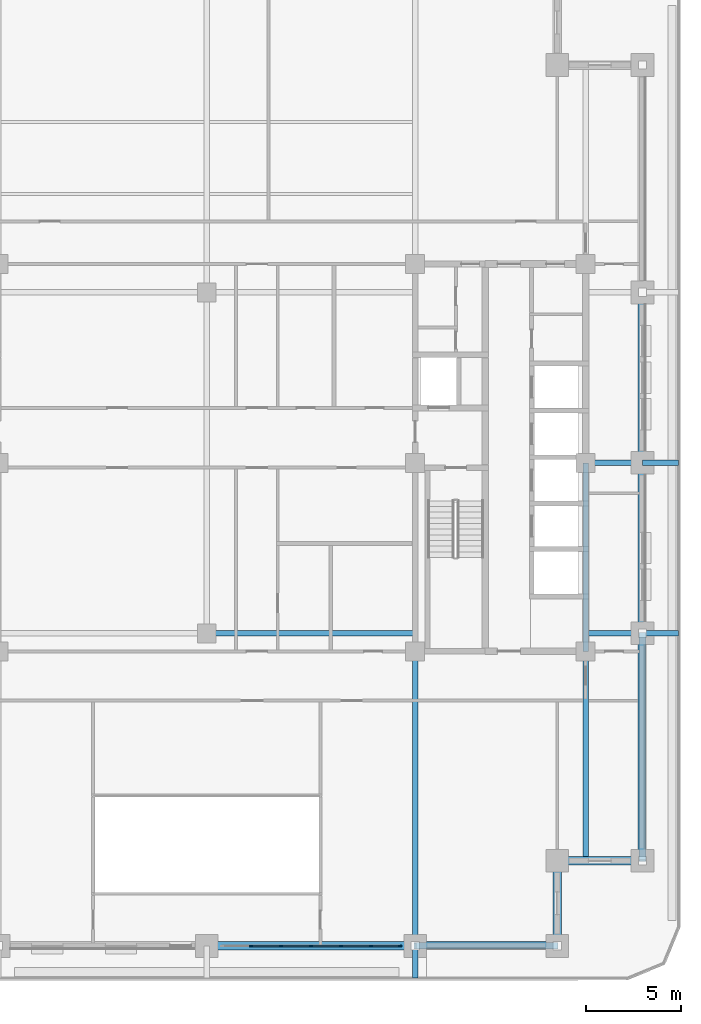
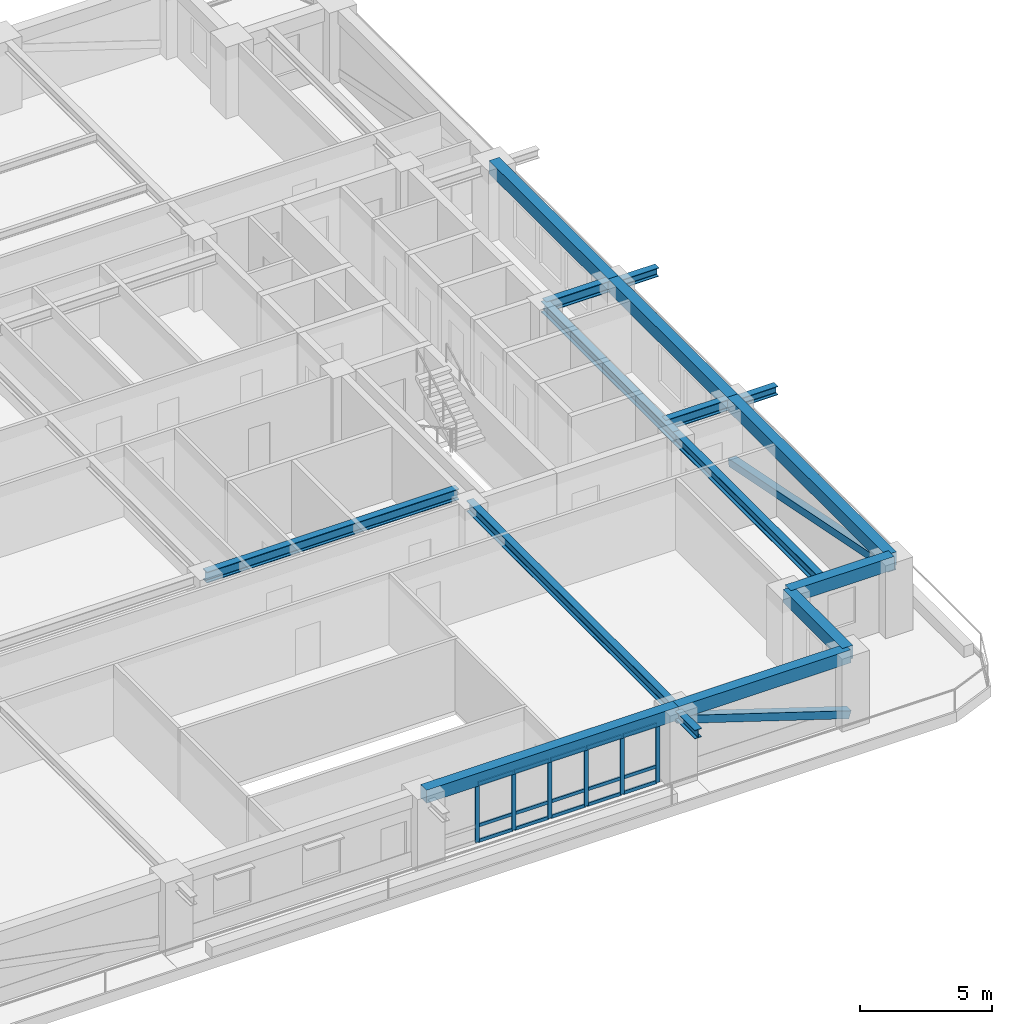
# One storey, part 4 of 20: 23 members, 16 beams, 1 element without a shape of its own.
"""IFC4 building model written with IfcOpenShell, lengths in metres."""

from ifc_helpers import new_model, si_unit, direction, frame, origin, origin_2d, place, context, subcontext, project, spatial, rectangle, hollow_rectangle, i_section, extrude, material, material_profile, profile_set, type_object, element, aggregate, save


model = new_model("IFC4")

# Units and contexts
model_context = context("Model", 3, precision=1e-05, world=origin(), true_north=direction((0.0, 1.0)))
body_context = subcontext(model_context, "Body", "Model", "MODEL_VIEW")
ifc_project = project(units=[si_unit("LENGTHUNIT", "METRE"), si_unit("AREAUNIT", "SQUARE_METRE"), si_unit("VOLUMEUNIT", "CUBIC_METRE"), si_unit("PLANEANGLEUNIT", "RADIAN"), si_unit("MASSUNIT", "GRAM", prefix="KILO")], contexts=[model_context])

# Site, building, storey
site_placement = place(None, origin())
site = spatial("IfcSite", under=ifc_project, at=site_placement, CompositionType="ELEMENT")
building_placement = place(site_placement, origin())
building = spatial("IfcBuilding", under=site, at=building_placement, Name="Zulmaris Gate Convention Tower", CompositionType="ELEMENT")
storey_placement = place(building_placement, frame((0.0, 0.0, 146.33984375)))
storey = spatial("IfcBuildingStorey", under=building, at=storey_placement, Name="L37", CompositionType="ELEMENT", Elevation=146.33984375)

# Beams
ifc_material_1 = material(Name="Steel S355", Category="steel")
ifc_material_profile_1 = material_profile(ifc_material_1, i_section(OverallWidth=0.300048828125, OverallDepth=0.39990234375, WebThickness=0.013427734375, FlangeThickness=0.02392578125, FilletRadius=0.027099609375, at=origin_2d()), Name="HEB 400")
ifc_profile_set_1 = profile_set([ifc_material_profile_1], Name="Steel S355")
beam_type_1 = type_object("IfcBeamType", Name="BM-HEB400", PredefinedType="BEAM", material=ifc_profile_set_1)
beam_1_placement = place(storey_placement, frame((11.0, -27.199951171875, 2.97998046875), z_axis=(0.0, 1.0, 0.0), x_axis=(-1.0, 0.0, 0.0)))
element("IfcBeam", 1, at=beam_1_placement, inside=storey, type_object=beam_type_1, Name="L37 Beam TBRK-L37-S-+11", PredefinedType="BEAM", context=body_context, shape_type="SweptSolid", body=[
    extrude(i_section(OverallWidth=0.300048828125, OverallDepth=0.39990234375, WebThickness=0.013427734375, FlangeThickness=0.02392578125, FilletRadius=0.027099609375, at=origin_2d()), origin(), (0.0, 0.0, 1.0), 1.699951171875),
])
for number, where, z_axis, x_axis, name in (
    (2, (23.0, -9.0, 2.97998046875), (1.0, 0.0, 0.0), (0.0, 1.0, 0.0), "L37 Beam TBRK-L37-E--9"),
    (3, (23.0, 0.0, 2.97998046875), (1.0, 0.0, 0.0), (0.0, 1.0, 0.0), "L37 Beam TBRK-L37-E-+0"),
):
    element("IfcBeam", number, at=place(storey_placement, frame(where, z_axis=z_axis, x_axis=x_axis)), inside=storey, type_object=beam_type_1, Name=name, PredefinedType="BEAM", context=body_context, shape_type="SweptSolid", body=[
        extrude(i_section(OverallWidth=0.300048828125, OverallDepth=0.39990234375, WebThickness=0.013427734375, FlangeThickness=0.02392578125, FilletRadius=0.027099609375, at=origin_2d()), origin(), (0.0, 0.0, 1.0), 1.89990234375),
    ])
ifc_material_profile_2 = material_profile(ifc_material_1, i_section(OverallWidth=0.300048828125, OverallDepth=0.5, WebThickness=0.014404296875, FlangeThickness=0.028076171875, FilletRadius=0.027099609375, at=origin_2d()), Name="HEB 500")
ifc_profile_set_2 = profile_set([ifc_material_profile_2], Name="Steel S355")
beam_type_2 = type_object("IfcBeamType", Name="BM-HEB500", PredefinedType="BEAM", material=ifc_profile_set_2)
beam_2_placement = place(storey_placement, frame((0.0, -9.0, 3.068115234375), z_axis=(1.0, 0.0, 0.0), x_axis=(0.0, 1.0, 0.0)))
element("IfcBeam", 4, at=beam_2_placement, inside=storey, type_object=beam_type_2, Name="L37 Beam BM-L37-G02", PredefinedType="BEAM", context=body_context, shape_type="SweptSolid", body=[
    extrude(i_section(OverallWidth=0.300048828125, OverallDepth=0.5, WebThickness=0.014404296875, FlangeThickness=0.028076171875, FilletRadius=0.027099609375, at=origin_2d()), origin(), (0.0, 0.0, 1.0), 11.0),
])
beam_3_placement = place(storey_placement, frame((11.0, -25.5, 3.068115234375), z_axis=(0.0, 1.0, 0.0), x_axis=(-1.0, 0.0, 0.0)))
element("IfcBeam", 5, at=beam_3_placement, inside=storey, type_object=beam_type_2, Name="L37 Beam BM-L37-G10", PredefinedType="BEAM", context=body_context, shape_type="SweptSolid", body=[
    extrude(i_section(OverallWidth=0.300048828125, OverallDepth=0.5, WebThickness=0.014404296875, FlangeThickness=0.028076171875, FilletRadius=0.027099609375, at=origin_2d()), origin(), (0.0, 0.0, 1.0), 15.550048828125),
])
beam_4_placement = place(storey_placement, frame((20.0, -21.0, 3.068115234375), z_axis=(0.0, 1.0, 0.0), x_axis=(-1.0, 0.0, 0.0)))
element("IfcBeam", 6, at=beam_4_placement, inside=storey, type_object=beam_type_2, Name="L37 Beam BM-L37-G14", PredefinedType="BEAM", context=body_context, shape_type="SweptSolid", body=[
    extrude(i_section(OverallWidth=0.300048828125, OverallDepth=0.5, WebThickness=0.014404296875, FlangeThickness=0.028076171875, FilletRadius=0.027099609375, at=origin_2d()), origin(), (0.0, 0.0, 1.0), 11.050048828125),
])
for number, where, z_axis, x_axis, name in (
    (7, (20.0, -9.0, 3.068115234375), (1.0, 0.0, 0.0), (0.0, 1.0, 0.0), "L37 Beam BM-L37-G19"),
    (8, (20.0, 0.0, 3.068115234375), (1.0, 0.0, 0.0), (0.0, 1.0, 0.0), "L37 Beam BM-L37-G20"),
):
    element("IfcBeam", number, at=place(storey_placement, frame(where, z_axis=z_axis, x_axis=x_axis)), inside=storey, type_object=beam_type_2, Name=name, PredefinedType="BEAM", context=body_context, shape_type="SweptSolid", body=[
        extrude(i_section(OverallWidth=0.300048828125, OverallDepth=0.5, WebThickness=0.014404296875, FlangeThickness=0.028076171875, FilletRadius=0.027099609375, at=origin_2d()), origin(), (0.0, 0.0, 1.0), 3.0),
    ])
beam_5_placement = place(storey_placement, frame((20.0, -9.949951171875, 3.068115234375), z_axis=(0.0, 1.0, 0.0), x_axis=(-1.0, 0.0, 0.0)))
element("IfcBeam", 9, at=beam_5_placement, inside=storey, type_object=beam_type_2, Name="L37 Beam BM-L37-G28", PredefinedType="BEAM", context=body_context, shape_type="SweptSolid", body=[
    extrude(i_section(OverallWidth=0.300048828125, OverallDepth=0.5, WebThickness=0.014404296875, FlangeThickness=0.028076171875, FilletRadius=0.027099609375, at=origin_2d()), origin(), (0.0, 0.0, 1.0), 9.949951171875),
])
ifc_material_2 = material(Name="Precast concrete C50/60", Category="concrete")
ifc_material_profile_3 = material_profile(ifc_material_2, rectangle(XDim=0.449951171875, YDim=0.60009765625, at=origin_2d()), Name="RC SPANDREL 450x600")
ifc_profile_set_3 = profile_set([ifc_material_profile_3], Name="Precast concrete C50/60")
beam_type_3 = type_object("IfcBeamType", Name="BM-SP450x600", PredefinedType="SPANDREL", material=ifc_profile_set_3)
beam_6_placement = place(storey_placement, frame((0.0, -25.5, 3.02001953125), z_axis=(1.0, 0.0, 0.0), x_axis=(0.0, 1.0, 0.0)))
element("IfcBeam", 10, at=beam_6_placement, inside=storey, type_object=beam_type_3, Name="L37 Spandrel SP-L37-03", PredefinedType="SPANDREL", context=body_context, shape_type="SweptSolid", body=[
    extrude(rectangle(XDim=0.449951171875, YDim=0.60009765625, at=origin_2d()), origin(), (0.0, 0.0, 1.0), 11.0),
])
beam_7_placement = place(storey_placement, frame((11.0, -25.5, 3.02001953125), z_axis=(1.0, 0.0, 0.0), x_axis=(0.0, 1.0, 0.0)))
element("IfcBeam", 11, at=beam_7_placement, inside=storey, type_object=beam_type_3, Name="L37 Spandrel SP-L37-04", PredefinedType="SPANDREL", context=body_context, shape_type="SweptSolid", body=[
    extrude(rectangle(XDim=0.449951171875, YDim=0.60009765625, at=origin_2d()), origin(), (0.0, 0.0, 1.0), 7.5),
])
for number, where, z_axis, x_axis, name in (
    (12, (18.5, -25.5, 3.02001953125), (0.0, 1.0, 0.0), (-1.0, 0.0, 0.0), "L37 Spandrel SP-L37-05"),
    (13, (18.5, -21.0, 3.02001953125), (1.0, 0.0, 0.0), (0.0, 1.0, 0.0), "L37 Spandrel SP-L37-06"),
):
    element("IfcBeam", number, at=place(storey_placement, frame(where, z_axis=z_axis, x_axis=x_axis)), inside=storey, type_object=beam_type_3, Name=name, PredefinedType="SPANDREL", context=body_context, shape_type="SweptSolid", body=[
        extrude(rectangle(XDim=0.449951171875, YDim=0.60009765625, at=origin_2d()), origin(), (0.0, 0.0, 1.0), 4.5),
    ])
beam_8_placement = place(storey_placement, frame((23.0, -21.0, 3.02001953125), z_axis=(0.0, 1.0, 0.0), x_axis=(-1.0, 0.0, 0.0)))
element("IfcBeam", 14, at=beam_8_placement, inside=storey, type_object=beam_type_3, Name="L37 Spandrel SP-L37-07", PredefinedType="SPANDREL", context=body_context, shape_type="SweptSolid", body=[
    extrude(rectangle(XDim=0.449951171875, YDim=0.60009765625, at=origin_2d()), origin(), (0.0, 0.0, 1.0), 12.0),
])
for number, where, z_axis, x_axis, name in (
    (15, (23.0, -9.0, 3.02001953125), (0.0, 1.0, 0.0), (-1.0, 0.0, 0.0), "L37 Spandrel SP-L37-08"),
    (16, (23.0, 0.0, 3.02001953125), (0.0, 1.0, 0.0), (-1.0, 0.0, 0.0), "L37 Spandrel SP-L37-09"),
):
    element("IfcBeam", number, at=place(storey_placement, frame(where, z_axis=z_axis, x_axis=x_axis)), inside=storey, type_object=beam_type_3, Name=name, PredefinedType="SPANDREL", context=body_context, shape_type="SweptSolid", body=[
        extrude(rectangle(XDim=0.449951171875, YDim=0.60009765625, at=origin_2d()), origin(), (0.0, 0.0, 1.0), 9.0),
    ])

# Members
ifc_material_3 = material(Name="Steel S460", Category="steel")
ifc_material_profile_4 = material_profile(ifc_material_3, hollow_rectangle(XDim=0.35009765625, YDim=0.35009765625, WallThickness=0.01611328125, at=origin_2d()), Name="SHS 350x350x16")
ifc_profile_set_4 = profile_set([ifc_material_profile_4], Name="Steel S460")
member_type_1 = type_object("IfcMemberType", Name="BR-SHS350", PredefinedType="BRACE", material=ifc_profile_set_4)
member_1_placement = place(storey_placement, frame((23.0, -9.0, 0.300048828125), z_axis=(0.0, -0.980582210276, 0.196108462057), x_axis=(1.0, 0.0, 0.0)))
element("IfcMember", 17, at=member_1_placement, inside=storey, type_object=member_type_1, Name="L37 Perimeter Tube Diagonal SE-E", PredefinedType="BRACE", context=body_context, shape_type="SweptSolid", body=[
    extrude(hollow_rectangle(XDim=0.35009765625, YDim=0.35009765625, WallThickness=0.01611328125, at=origin_2d()), origin(), (0.0, 0.0, 1.0), 12.237548828125),
])
member_2_placement = place(storey_placement, frame((18.5, -25.5, 0.300048828125), z_axis=(-0.95242774696, 0.0, 0.304764477624), x_axis=(0.0, -1.0, 0.0)))
element("IfcMember", 18, at=member_2_placement, inside=storey, type_object=member_type_1, Name="L37 Perimeter Tube Diagonal SE-S", PredefinedType="BRACE", context=body_context, shape_type="SweptSolid", body=[
    extrude(hollow_rectangle(XDim=0.35009765625, YDim=0.35009765625, WallThickness=0.01611328125, at=origin_2d()), origin(), (0.0, 0.0, 1.0), 7.87451171875),
])

# Curtain wall, members
ifc_material_4 = material(Name="Anodised Aluminium", Category="aluminium")
curtain_wall_type = type_object("IfcCurtainWallType", Name="CW-06", PredefinedType="NOTDEFINED", material=ifc_material_4)
curtain_wall_placement = place(storey_placement, origin())
curtain_wall = element("IfcCurtainWall", 19, at=curtain_wall_placement, inside=storey, type_object=curtain_wall_type, Name="CW-06 CW06-L37-S-2_0", PredefinedType="NOTDEFINED")
ifc_material_profile_5 = material_profile(ifc_material_4, rectangle(XDim=0.074951171875, YDim=0.179931640625, at=origin_2d()), Name="ALU MULLION 75x180")
ifc_profile_set_5 = profile_set([ifc_material_profile_5], Name="Anodised Aluminium")
member_type_2 = type_object("IfcMemberType", Name="CW-06-MULL", PredefinedType="MULLION", material=ifc_profile_set_5)
member_3_placement = place(storey_placement, frame((2.340087890625, -25.5, 0.0), z_axis=(0.0, 0.0, 1.0), x_axis=(0.0, 1.0, 0.0)))
member_3 = element("IfcMember", 20, at=member_3_placement, type_object=member_type_2, Name="CW-06 mullion 2", PredefinedType="MULLION", context=body_context, shape_type="SweptSolid", body=[
    extrude(rectangle(XDim=0.074951171875, YDim=0.179931640625, at=origin_2d()), origin(), (0.0, 0.0, 1.0), 2.712158203125),
])
member_4_placement = place(storey_placement, frame((3.919921875, -25.5, 0.0), z_axis=(0.0, 0.0, 1.0), x_axis=(0.0, 1.0, 0.0)))
member_4 = element("IfcMember", 21, at=member_4_placement, type_object=member_type_2, Name="CW-06 mullion 3", PredefinedType="MULLION", context=body_context, shape_type="SweptSolid", body=[
    extrude(rectangle(XDim=0.074951171875, YDim=0.179931640625, at=origin_2d()), origin(), (0.0, 0.0, 1.0), 2.712158203125),
])
member_5_placement = place(storey_placement, frame((5.5, -25.5, 0.0), z_axis=(0.0, 0.0, 1.0), x_axis=(0.0, 1.0, 0.0)))
member_5 = element("IfcMember", 22, at=member_5_placement, type_object=member_type_2, Name="CW-06 mullion 4", PredefinedType="MULLION", context=body_context, shape_type="SweptSolid", body=[
    extrude(rectangle(XDim=0.074951171875, YDim=0.179931640625, at=origin_2d()), origin(), (0.0, 0.0, 1.0), 2.712158203125),
])
member_6_placement = place(storey_placement, frame((7.080078125, -25.5, 0.0), z_axis=(0.0, 0.0, 1.0), x_axis=(0.0, 1.0, 0.0)))
member_6 = element("IfcMember", 23, at=member_6_placement, type_object=member_type_2, Name="CW-06 mullion 5", PredefinedType="MULLION", context=body_context, shape_type="SweptSolid", body=[
    extrude(rectangle(XDim=0.074951171875, YDim=0.179931640625, at=origin_2d()), origin(), (0.0, 0.0, 1.0), 2.712158203125),
])
member_7_placement = place(storey_placement, frame((8.659912109375, -25.5, 0.0), z_axis=(0.0, 0.0, 1.0), x_axis=(0.0, 1.0, 0.0)))
member_7 = element("IfcMember", 24, at=member_7_placement, type_object=member_type_2, Name="CW-06 mullion 6", PredefinedType="MULLION", context=body_context, shape_type="SweptSolid", body=[
    extrude(rectangle(XDim=0.074951171875, YDim=0.179931640625, at=origin_2d()), origin(), (0.0, 0.0, 1.0), 2.712158203125),
])
member_8_placement = place(storey_placement, frame((10.202392578125, -25.5, 0.0), z_axis=(0.0, 0.0, 1.0), x_axis=(0.0, 1.0, 0.0)))
member_8 = element("IfcMember", 25, at=member_8_placement, type_object=member_type_2, Name="CW-06 mullion 7", PredefinedType="MULLION", context=body_context, shape_type="SweptSolid", body=[
    extrude(rectangle(XDim=0.074951171875, YDim=0.179931640625, at=origin_2d()), origin(), (0.0, 0.0, 1.0), 2.712158203125),
])
ifc_material_profile_6 = material_profile(ifc_material_4, rectangle(XDim=0.074951171875, YDim=0.14990234375, at=origin_2d()), Name="ALU TRANSOM 75x150")
ifc_profile_set_6 = profile_set([ifc_material_profile_6], Name="Anodised Aluminium")
member_type_3 = type_object("IfcMemberType", Name="CW-06-TRAN", PredefinedType="USERDEFINED", material=ifc_profile_set_6)
member_9_placement = place(storey_placement, frame((2.37744140625, -25.5, 0.037353515625), z_axis=(1.0, 0.0, 0.0), x_axis=(0.0, 1.0, 0.0)))
member_9 = element("IfcMember", 26, at=member_9_placement, type_object=member_type_3, Name="CW-06 transom 2.1", ObjectType="TRANSOM", PredefinedType="USERDEFINED", context=body_context, shape_type="SweptSolid", body=[
    extrude(rectangle(XDim=0.074951171875, YDim=0.14990234375, at=origin_2d()), origin(), (0.0, 0.0, 1.0), 1.505126953125),
])
member_10_placement = place(storey_placement, frame((2.37744140625, -25.5, 0.75), z_axis=(1.0, 0.0, 0.0), x_axis=(0.0, 1.0, 0.0)))
member_10 = element("IfcMember", 27, at=member_10_placement, type_object=member_type_3, Name="CW-06 transom 2.2", ObjectType="TRANSOM", PredefinedType="USERDEFINED", context=body_context, shape_type="SweptSolid", body=[
    extrude(rectangle(XDim=0.074951171875, YDim=0.14990234375, at=origin_2d()), origin(), (0.0, 0.0, 1.0), 1.505126953125),
])
member_11_placement = place(storey_placement, frame((2.37744140625, -25.5, 2.674560546875), z_axis=(1.0, 0.0, 0.0), x_axis=(0.0, 1.0, 0.0)))
member_11 = element("IfcMember", 28, at=member_11_placement, type_object=member_type_3, Name="CW-06 transom 2.3", ObjectType="TRANSOM", PredefinedType="USERDEFINED", context=body_context, shape_type="SweptSolid", body=[
    extrude(rectangle(XDim=0.074951171875, YDim=0.14990234375, at=origin_2d()), origin(), (0.0, 0.0, 1.0), 1.505126953125),
])
member_12_placement = place(storey_placement, frame((3.95751953125, -25.5, 0.037353515625), z_axis=(1.0, 0.0, 0.0), x_axis=(0.0, 1.0, 0.0)))
member_12 = element("IfcMember", 29, at=member_12_placement, type_object=member_type_3, Name="CW-06 transom 3.1", ObjectType="TRANSOM", PredefinedType="USERDEFINED", context=body_context, shape_type="SweptSolid", body=[
    extrude(rectangle(XDim=0.074951171875, YDim=0.14990234375, at=origin_2d()), origin(), (0.0, 0.0, 1.0), 1.5048828125),
])
member_13_placement = place(storey_placement, frame((3.95751953125, -25.5, 0.75), z_axis=(1.0, 0.0, 0.0), x_axis=(0.0, 1.0, 0.0)))
member_13 = element("IfcMember", 30, at=member_13_placement, type_object=member_type_3, Name="CW-06 transom 3.2", ObjectType="TRANSOM", PredefinedType="USERDEFINED", context=body_context, shape_type="SweptSolid", body=[
    extrude(rectangle(XDim=0.074951171875, YDim=0.14990234375, at=origin_2d()), origin(), (0.0, 0.0, 1.0), 1.5048828125),
])
member_14_placement = place(storey_placement, frame((3.95751953125, -25.5, 2.674560546875), z_axis=(1.0, 0.0, 0.0), x_axis=(0.0, 1.0, 0.0)))
member_14 = element("IfcMember", 31, at=member_14_placement, type_object=member_type_3, Name="CW-06 transom 3.3", ObjectType="TRANSOM", PredefinedType="USERDEFINED", context=body_context, shape_type="SweptSolid", body=[
    extrude(rectangle(XDim=0.074951171875, YDim=0.14990234375, at=origin_2d()), origin(), (0.0, 0.0, 1.0), 1.5048828125),
])
member_15_placement = place(storey_placement, frame((5.53759765625, -25.5, 0.037353515625), z_axis=(1.0, 0.0, 0.0), x_axis=(0.0, 1.0, 0.0)))
member_15 = element("IfcMember", 32, at=member_15_placement, type_object=member_type_3, Name="CW-06 transom 4.1", ObjectType="TRANSOM", PredefinedType="USERDEFINED", context=body_context, shape_type="SweptSolid", body=[
    extrude(rectangle(XDim=0.074951171875, YDim=0.14990234375, at=origin_2d()), origin(), (0.0, 0.0, 1.0), 1.5048828125),
])
member_16_placement = place(storey_placement, frame((5.53759765625, -25.5, 0.75), z_axis=(1.0, 0.0, 0.0), x_axis=(0.0, 1.0, 0.0)))
member_16 = element("IfcMember", 33, at=member_16_placement, type_object=member_type_3, Name="CW-06 transom 4.2", ObjectType="TRANSOM", PredefinedType="USERDEFINED", context=body_context, shape_type="SweptSolid", body=[
    extrude(rectangle(XDim=0.074951171875, YDim=0.14990234375, at=origin_2d()), origin(), (0.0, 0.0, 1.0), 1.5048828125),
])
member_17_placement = place(storey_placement, frame((5.53759765625, -25.5, 2.674560546875), z_axis=(1.0, 0.0, 0.0), x_axis=(0.0, 1.0, 0.0)))
member_17 = element("IfcMember", 34, at=member_17_placement, type_object=member_type_3, Name="CW-06 transom 4.3", ObjectType="TRANSOM", PredefinedType="USERDEFINED", context=body_context, shape_type="SweptSolid", body=[
    extrude(rectangle(XDim=0.074951171875, YDim=0.14990234375, at=origin_2d()), origin(), (0.0, 0.0, 1.0), 1.5048828125),
])
member_18_placement = place(storey_placement, frame((7.117431640625, -25.5, 0.037353515625), z_axis=(1.0, 0.0, 0.0), x_axis=(0.0, 1.0, 0.0)))
member_18 = element("IfcMember", 35, at=member_18_placement, type_object=member_type_3, Name="CW-06 transom 5.1", ObjectType="TRANSOM", PredefinedType="USERDEFINED", context=body_context, shape_type="SweptSolid", body=[
    extrude(rectangle(XDim=0.074951171875, YDim=0.14990234375, at=origin_2d()), origin(), (0.0, 0.0, 1.0), 1.505126953125),
])
member_19_placement = place(storey_placement, frame((7.117431640625, -25.5, 0.75), z_axis=(1.0, 0.0, 0.0), x_axis=(0.0, 1.0, 0.0)))
member_19 = element("IfcMember", 36, at=member_19_placement, type_object=member_type_3, Name="CW-06 transom 5.2", ObjectType="TRANSOM", PredefinedType="USERDEFINED", context=body_context, shape_type="SweptSolid", body=[
    extrude(rectangle(XDim=0.074951171875, YDim=0.14990234375, at=origin_2d()), origin(), (0.0, 0.0, 1.0), 1.505126953125),
])
member_20_placement = place(storey_placement, frame((7.117431640625, -25.5, 2.674560546875), z_axis=(1.0, 0.0, 0.0), x_axis=(0.0, 1.0, 0.0)))
member_20 = element("IfcMember", 37, at=member_20_placement, type_object=member_type_3, Name="CW-06 transom 5.3", ObjectType="TRANSOM", PredefinedType="USERDEFINED", context=body_context, shape_type="SweptSolid", body=[
    extrude(rectangle(XDim=0.074951171875, YDim=0.14990234375, at=origin_2d()), origin(), (0.0, 0.0, 1.0), 1.505126953125),
])
member_21_placement = place(storey_placement, frame((8.697509765625, -25.5, 0.037353515625), z_axis=(1.0, 0.0, 0.0), x_axis=(0.0, 1.0, 0.0)))
member_21 = element("IfcMember", 38, at=member_21_placement, type_object=member_type_3, Name="CW-06 transom 6.1", ObjectType="TRANSOM", PredefinedType="USERDEFINED", context=body_context, shape_type="SweptSolid", body=[
    extrude(rectangle(XDim=0.074951171875, YDim=0.14990234375, at=origin_2d()), origin(), (0.0, 0.0, 1.0), 1.467529296875),
])
member_22_placement = place(storey_placement, frame((8.697509765625, -25.5, 0.75), z_axis=(1.0, 0.0, 0.0), x_axis=(0.0, 1.0, 0.0)))
member_22 = element("IfcMember", 39, at=member_22_placement, type_object=member_type_3, Name="CW-06 transom 6.2", ObjectType="TRANSOM", PredefinedType="USERDEFINED", context=body_context, shape_type="SweptSolid", body=[
    extrude(rectangle(XDim=0.074951171875, YDim=0.14990234375, at=origin_2d()), origin(), (0.0, 0.0, 1.0), 1.467529296875),
])
member_23_placement = place(storey_placement, frame((8.697509765625, -25.5, 2.674560546875), z_axis=(1.0, 0.0, 0.0), x_axis=(0.0, 1.0, 0.0)))
member_23 = element("IfcMember", 40, at=member_23_placement, type_object=member_type_3, Name="CW-06 transom 6.3", ObjectType="TRANSOM", PredefinedType="USERDEFINED", context=body_context, shape_type="SweptSolid", body=[
    extrude(rectangle(XDim=0.074951171875, YDim=0.14990234375, at=origin_2d()), origin(), (0.0, 0.0, 1.0), 1.467529296875),
])
aggregate(curtain_wall, [member_3, member_4, member_5, member_6, member_7, member_8, member_9, member_10, member_11, member_12, member_13, member_14, member_15, member_16, member_17, member_18, member_19, member_20, member_21, member_22, member_23])

save(model, "model.ifc")
